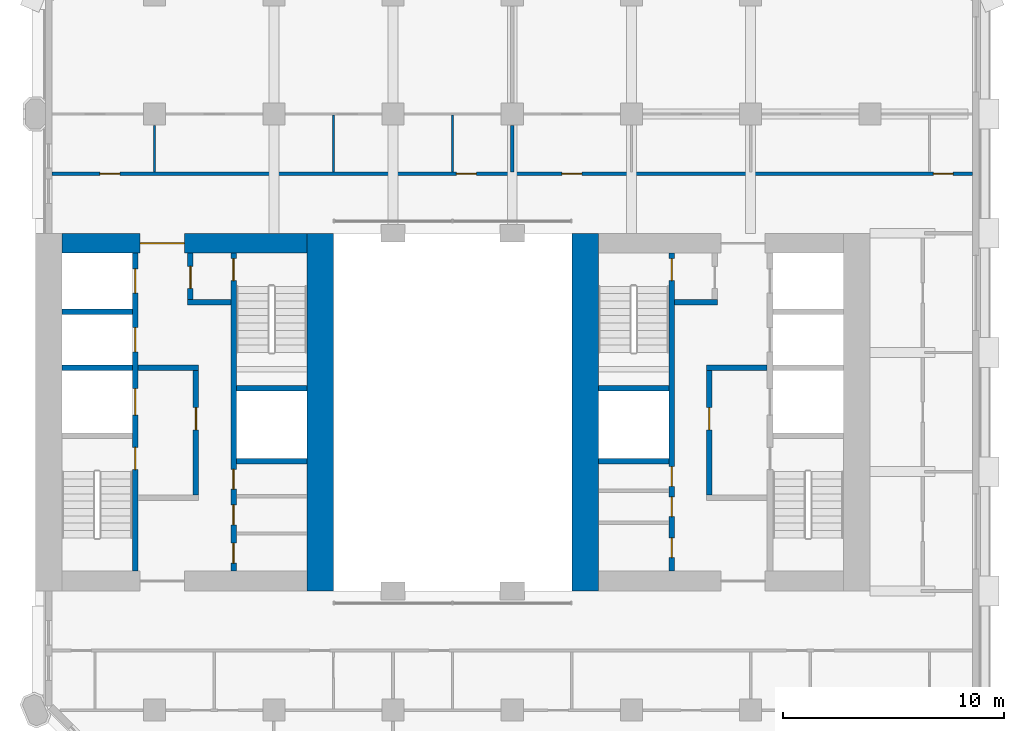
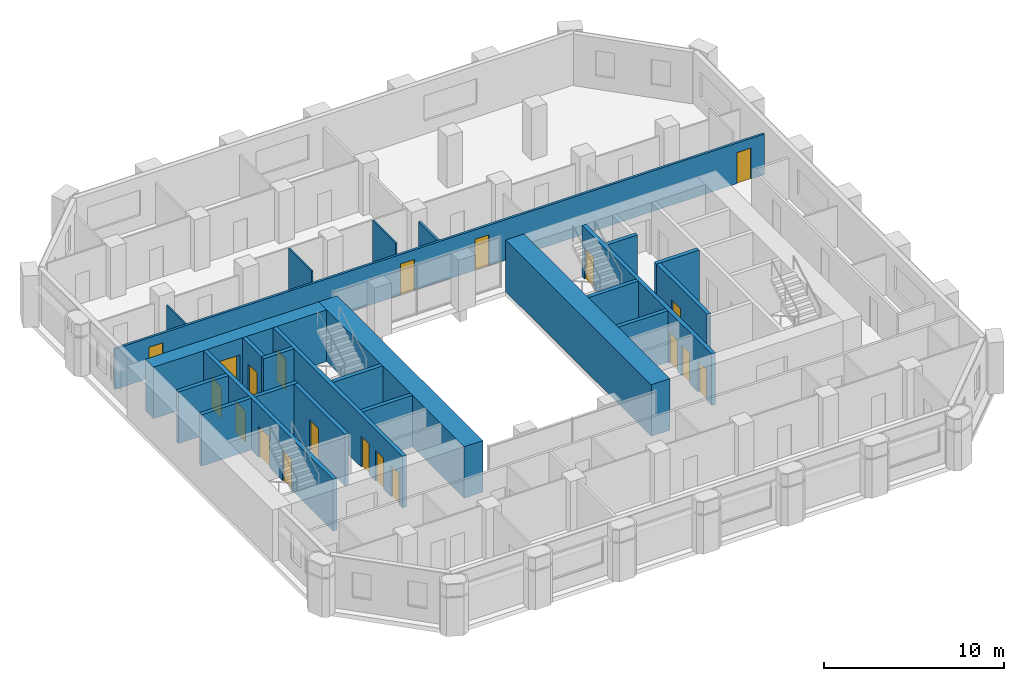
# One storey, part 5 of 11: 24 walls, 20 doors, 20 openings.
"""IFC4 building model written with IfcOpenShell, lengths in metres."""

from ifc_helpers import new_model, si_unit, direction, frame, frame_2d, origin, place, context, subcontext, project, spatial, rectangle, extrude, material, layer, layer_set, type_object, element, fill, save


model = new_model("IFC4")

# Units and contexts
model_context = context("Model", 3, precision=1e-05, world=origin(), true_north=direction((0.0, 1.0)))
body_context = subcontext(model_context, "Body", "Model", "MODEL_VIEW")
ifc_project = project(units=[si_unit("LENGTHUNIT", "METRE"), si_unit("AREAUNIT", "SQUARE_METRE"), si_unit("VOLUMEUNIT", "CUBIC_METRE"), si_unit("PLANEANGLEUNIT", "RADIAN"), si_unit("MASSUNIT", "GRAM", prefix="KILO")], contexts=[model_context])

# Site, building, storey
site_placement = place(None, origin())
site = spatial("IfcSite", under=ifc_project, at=site_placement, CompositionType="ELEMENT")
building_placement = place(site_placement, origin())
building = spatial("IfcBuilding", under=site, at=building_placement, Name="Tabaq Tower and Sports Hall", CompositionType="ELEMENT")
storey_placement = place(building_placement, frame((0.0, 0.0, 91.60009765625)))
storey = spatial("IfcBuildingStorey", under=building, at=storey_placement, Name="L21", CompositionType="ELEMENT", Elevation=91.60009765625)

# Walls
ifc_material_1 = material(Name="Concrete C60/75", Category="concrete")
ifc_layer_1 = layer(ifc_material_1, 1.199951171875)
ifc_layer_set_1 = layer_set([ifc_layer_1], Name="Core wall 1200 Concrete C60/75")
wall_type_1 = type_object("IfcWallType", Name="Core wall 1200 Concrete C60/75", PredefinedType="SOLIDWALL", material=ifc_layer_set_1)
for number, where, z_axis, x_axis, name in (
    (1, (18.300048828125, 32.39990234375, 0.0), (0.0, 0.0, 1.0), (0.0, -1.0, 0.0), "Core wall W L21"),
    (2, (30.300048828125, 16.199951171875, 0.0), (0.0, 0.0, 1.0), (0.0, 1.0, 0.0), "Core wall E L21"),
):
    element("IfcWall", number, at=place(storey_placement, frame(where, z_axis=z_axis, x_axis=x_axis)), inside=storey, type_object=wall_type_1, Name=name, PredefinedType="SOLIDWALL", context=body_context, shape_type="SweptSolid", body=[
        extrude(rectangle(XDim=16.199951171875, YDim=1.199951171875, at=frame_2d((8.10009765625, 0.0))), origin(), (0.0, 0.0, 1.0), 3.5),
    ])

# Wall, opening, door
ifc_material_2 = material(Name="Concrete C60/75", Category="concrete")
ifc_layer_2 = layer(ifc_material_2, 0.89990234375)
ifc_layer_set_2 = layer_set([ifc_layer_2], Name="Core wall 900 Concrete C60/75")
wall_type_2 = type_object("IfcWallType", Name="Core wall 900 Concrete C60/75", PredefinedType="SOLIDWALL", material=ifc_layer_set_2)
wall_1_placement = place(storey_placement, frame((6.60009765625, 31.949951171875, 0.0), z_axis=(0.0, 0.0, 1.0), x_axis=(1.0, 0.0, 0.0)))
wall_1 = element("IfcWall", 3, at=wall_1_placement, inside=storey, type_object=wall_type_2, Name="Core wall W L21", PredefinedType="SOLIDWALL", context=body_context, shape_type="SweptSolid", body=[
    extrude(rectangle(XDim=11.099853515625, YDim=0.89990234375, at=frame_2d((5.5498046875, 0.0))), origin(), (0.0, 0.0, 1.0), 3.5),
])
opening_1_placement = place(wall_1_placement, frame((3.550048828125, 0.0, 0.0)))
opening_1 = element("IfcOpeningElement", 4, at=opening_1_placement, cuts=wall_1, Name="Opening PD-WL21-02", PredefinedType="OPENING", context=body_context, shape_type="SweptSolid", body=[
    extrude(rectangle(XDim=2.0, YDim=2.39990234375, at=frame_2d((1.0, 1.199951171875))), frame((0.0, 0.449951171875, 0.0), z_axis=(0.0, -1.0, 0.0), x_axis=(1.0, 0.0, 0.0)), (0.0, 0.0, 1.0), 0.89990234375),
])
ifc_material_3 = material(Name="Steel fire door", Category="steel")
door_type_1 = type_object("IfcDoorType", Name="Core entrance door 2000", OperationType="DOUBLE_DOOR_SINGLE_SWING", PredefinedType="DOOR", material=ifc_material_3)
door_1_placement = place(opening_1_placement, origin())
door_1 = element("IfcDoor", 5, at=door_1_placement, inside=storey, type_object=door_type_1, Name="Core entrance north W L21", OperationType="DOUBLE_DOOR_SINGLE_SWING", OverallHeight=2.39990234375, OverallWidth=2.0, PredefinedType="DOOR", context=body_context, shape_type="SweptSolid", body=[
    extrude(rectangle(XDim=2.0, YDim=2.39990234375, at=frame_2d((1.0, 1.199951171875))), frame((0.0, 0.02490234375, 0.0), z_axis=(0.0, -1.0, 0.0), x_axis=(1.0, 0.0, 0.0)), (0.0, 0.0, 1.0), 0.050048828125),
])
fill(opening_1, door_1)

# Walls
ifc_material_4 = material(Name="Gypsum board on steel studs", Category="steel")
ifc_layer_3 = layer(ifc_material_4, 0.10009765625)
ifc_layer_set_3 = layer_set([ifc_layer_3], Name="Partition 100 Gypsum board")
wall_type_3 = type_object("IfcWallType", Name="Partition 100 Gypsum board", PredefinedType="PARTITIONING", material=ifc_layer_set_3)
wall_2_placement = place(storey_placement, frame((10.800048828125, 35.175048828125, 0.0), z_axis=(0.0, 0.0, 1.0), x_axis=(0.0, 1.0, 0.0)))
element("IfcWall", 6, at=wall_2_placement, inside=storey, type_object=wall_type_3, Name="Partition wall L21", PredefinedType="PARTITIONING", context=body_context, shape_type="SweptSolid", body=[
    extrude(rectangle(XDim=2.10498046875, YDim=0.10009765625, at=frame_2d((1.052490234375, 0.0))), origin(), (0.0, 0.0, 1.0), 2.75),
])
for number, where, z_axis, x_axis, name in (
    (7, (18.89990234375, 35.175048828125, 0.0), (0.0, 0.0, 1.0), (0.0, 1.0, 0.0), "Partition wall L21"),
    (8, (24.300048828125, 35.175048828125, 0.0), (0.0, 0.0, 1.0), (0.0, 1.0, 0.0), "Partition wall L21"),
):
    element("IfcWall", number, at=place(storey_placement, frame(where, z_axis=z_axis, x_axis=x_axis)), inside=storey, type_object=wall_type_3, Name=name, PredefinedType="PARTITIONING", context=body_context, shape_type="SweptSolid", body=[
        extrude(rectangle(XDim=2.574951171875, YDim=0.10009765625, at=frame_2d((1.28759765625, 0.0))), origin(), (0.0, 0.0, 1.0), 3.5),
    ])

# Wall, openings, doors
ifc_material_5 = material(Name="Blockwork", Category="masonry")
ifc_layer_4 = layer(ifc_material_5, 0.14990234375)
ifc_layer_set_4 = layer_set([ifc_layer_4], Name="Separating wall 150 Blockwork")
wall_type_4 = type_object("IfcWallType", Name="Separating wall 150 Blockwork", PredefinedType="PARTITIONING", material=ifc_layer_set_4)
wall_3_placement = place(storey_placement, frame((47.84912109375, 35.10009765625, 0.0), z_axis=(0.0, 0.0, 1.0), x_axis=(-1.0, 0.0, 0.0)))
wall_3 = element("IfcWall", 9, at=wall_3_placement, inside=storey, type_object=wall_type_4, Name="Separating wall L21", PredefinedType="PARTITIONING", context=body_context, shape_type="SweptSolid", body=[
    extrude(rectangle(XDim=41.6982421875, YDim=0.14990234375, at=frame_2d((20.84912109375, 0.0))), origin(), (0.0, 0.0, 1.0), 2.75),
])
opening_2_placement = place(wall_3_placement, frame((22.47900390625, 0.0, 0.0)))
opening_2 = element("IfcOpeningElement", 10, at=opening_2_placement, cuts=wall_3, Name="Opening L21-001", PredefinedType="OPENING", context=body_context, shape_type="SweptSolid", body=[
    extrude(rectangle(XDim=0.89990234375, YDim=2.10009765625, at=frame_2d((0.449951171875, 1.050048828125))), frame((0.0, 0.074951171875, 0.0), z_axis=(0.0, -1.0, 0.0), x_axis=(1.0, 0.0, 0.0)), (0.0, 0.0, 1.0), 0.14990234375),
])
opening_3_placement = place(wall_3_placement, frame((0.87890625, 0.0, 0.0)))
opening_3 = element("IfcOpeningElement", 11, at=opening_3_placement, cuts=wall_3, Name="Opening L21-002", PredefinedType="OPENING", context=body_context, shape_type="SweptSolid", body=[
    extrude(rectangle(XDim=0.89990234375, YDim=2.10009765625, at=frame_2d((0.449951171875, 1.050048828125))), frame((0.0, 0.074951171875, 0.0), z_axis=(0.0, -1.0, 0.0), x_axis=(1.0, 0.0, 0.0)), (0.0, 0.0, 1.0), 0.14990234375),
])
opening_4_placement = place(wall_3_placement, frame((38.6240234375, 0.0, 0.0)))
opening_4 = element("IfcOpeningElement", 12, at=opening_4_placement, cuts=wall_3, Name="Opening L21-024", PredefinedType="OPENING", context=body_context, shape_type="SweptSolid", body=[
    extrude(rectangle(XDim=0.89990234375, YDim=2.10009765625, at=frame_2d((0.449951171875, 1.050048828125))), frame((0.0, 0.074951171875, 0.0), z_axis=(0.0, -1.0, 0.0), x_axis=(1.0, 0.0, 0.0)), (0.0, 0.0, 1.0), 0.14990234375),
])
opening_5_placement = place(wall_3_placement, frame((17.698974609375, 0.0, 0.0)))
opening_5 = element("IfcOpeningElement", 13, at=opening_5_placement, cuts=wall_3, Name="Opening L21-025", PredefinedType="OPENING", context=body_context, shape_type="SweptSolid", body=[
    extrude(rectangle(XDim=0.89990234375, YDim=2.10009765625, at=frame_2d((0.449951171875, 1.050048828125))), frame((0.0, 0.074951171875, 0.0), z_axis=(0.0, -1.0, 0.0), x_axis=(1.0, 0.0, 0.0)), (0.0, 0.0, 1.0), 0.14990234375),
])
ifc_material_6 = material(Name="Steel fire door", Category="steel")
door_type_2 = type_object("IfcDoorType", Name="Entrance door 900 left hand", OperationType="SINGLE_SWING_LEFT", PredefinedType="DOOR", material=ifc_material_6)
door_2_placement = place(opening_2_placement, origin())
door_2 = element("IfcDoor", 14, at=door_2_placement, inside=storey, type_object=door_type_2, Name="Entrance door L21-001", OperationType="SINGLE_SWING_LEFT", OverallHeight=2.10009765625, OverallWidth=0.89990234375, PredefinedType="DOOR", context=body_context, shape_type="SweptSolid", body=[
    extrude(rectangle(XDim=0.89990234375, YDim=2.10009765625, at=frame_2d((0.449951171875, 1.050048828125))), frame((0.0, 0.02490234375, 0.0), z_axis=(0.0, -1.0, 0.0), x_axis=(1.0, 0.0, 0.0)), (0.0, 0.0, 1.0), 0.050048828125),
])
fill(opening_2, door_2)
door_3_placement = place(opening_3_placement, origin())
door_3 = element("IfcDoor", 15, at=door_3_placement, inside=storey, type_object=door_type_2, Name="Entrance door L21-002", OperationType="SINGLE_SWING_LEFT", OverallHeight=2.10009765625, OverallWidth=0.89990234375, PredefinedType="DOOR", context=body_context, shape_type="SweptSolid", body=[
    extrude(rectangle(XDim=0.89990234375, YDim=2.10009765625, at=frame_2d((0.449951171875, 1.050048828125))), frame((0.0, 0.02490234375, 0.0), z_axis=(0.0, -1.0, 0.0), x_axis=(1.0, 0.0, 0.0)), (0.0, 0.0, 1.0), 0.050048828125),
])
fill(opening_3, door_3)
door_4_placement = place(opening_4_placement, origin())
door_4 = element("IfcDoor", 16, at=door_4_placement, inside=storey, type_object=door_type_2, Name="Entrance door L21-024", OperationType="SINGLE_SWING_LEFT", OverallHeight=2.10009765625, OverallWidth=0.89990234375, PredefinedType="DOOR", context=body_context, shape_type="SweptSolid", body=[
    extrude(rectangle(XDim=0.89990234375, YDim=2.10009765625, at=frame_2d((0.449951171875, 1.050048828125))), frame((0.0, 0.02490234375, 0.0), z_axis=(0.0, -1.0, 0.0), x_axis=(1.0, 0.0, 0.0)), (0.0, 0.0, 1.0), 0.050048828125),
])
fill(opening_4, door_4)
door_5_placement = place(opening_5_placement, origin())
door_5 = element("IfcDoor", 17, at=door_5_placement, inside=storey, type_object=door_type_2, Name="Entrance door L21-025", OperationType="SINGLE_SWING_LEFT", OverallHeight=2.10009765625, OverallWidth=0.89990234375, PredefinedType="DOOR", context=body_context, shape_type="SweptSolid", body=[
    extrude(rectangle(XDim=0.89990234375, YDim=2.10009765625, at=frame_2d((0.449951171875, 1.050048828125))), frame((0.0, 0.02490234375, 0.0), z_axis=(0.0, -1.0, 0.0), x_axis=(1.0, 0.0, 0.0)), (0.0, 0.0, 1.0), 0.050048828125),
])
fill(opening_5, door_5)

# Wall
wall_4_placement = place(storey_placement, frame((27.0, 35.175048828125, 0.0), z_axis=(0.0, 0.0, 1.0), x_axis=(0.0, 1.0, 0.0)))
element("IfcWall", 18, at=wall_4_placement, inside=storey, type_object=wall_type_4, Name="Separating wall L21", PredefinedType="PARTITIONING", context=body_context, shape_type="SweptSolid", body=[
    extrude(rectangle(XDim=2.10498046875, YDim=0.14990234375, at=frame_2d((1.052490234375, 0.0))), origin(), (0.0, 0.0, 1.0), 2.75),
])

# Wall, openings, doors
ifc_material_7 = material(Name="Concrete C40/50", Category="concrete")
ifc_layer_5 = layer(ifc_material_7, 0.25)
ifc_layer_set_5 = layer_set([ifc_layer_5], Name="Shaft and stair wall 250 Concrete C40/50")
wall_type_5 = type_object("IfcWallType", Name="Shaft and stair wall 250 Concrete C40/50", PredefinedType="SOLIDWALL", material=ifc_layer_set_5)
wall_5_placement = place(storey_placement, frame((9.925048828125, 17.10009765625, 0.0), z_axis=(0.0, 0.0, 1.0), x_axis=(0.0, 1.0, 0.0)))
wall_5 = element("IfcWall", 19, at=wall_5_placement, inside=storey, type_object=wall_type_5, Name="Shaft wall W L21", PredefinedType="SOLIDWALL", context=body_context, shape_type="SweptSolid", body=[
    extrude(rectangle(XDim=14.39990234375, YDim=0.25, at=frame_2d((7.199951171875, 0.0))), origin(), (0.0, 0.0, 1.0), 3.5),
])
opening_6_placement = place(wall_5_placement, frame((4.60009765625, 0.0, 0.0)))
opening_6 = element("IfcOpeningElement", 20, at=opening_6_placement, cuts=wall_5, Name="Opening SD-WL21-03", PredefinedType="OPENING", context=body_context, shape_type="SweptSolid", body=[
    extrude(rectangle(XDim=1.0, YDim=2.10009765625, at=frame_2d((0.5, 1.050048828125))), frame((0.0, 0.125, 0.0), z_axis=(0.0, -1.0, 0.0), x_axis=(1.0, 0.0, 0.0)), (0.0, 0.0, 1.0), 0.25),
])
opening_7_placement = place(wall_5_placement, frame((7.0625, 0.0, 0.0)))
opening_7 = element("IfcOpeningElement", 21, at=opening_7_placement, cuts=wall_5, Name="Opening LD-FF1-L21", PredefinedType="OPENING", context=body_context, shape_type="SweptSolid", body=[
    extrude(rectangle(XDim=1.199951171875, YDim=2.10009765625, at=frame_2d((0.60009765625, 1.050048828125))), frame((0.0, 0.125, 0.0), z_axis=(0.0, -1.0, 0.0), x_axis=(1.0, 0.0, 0.0)), (0.0, 0.0, 1.0), 0.25),
])
opening_8_placement = place(wall_5_placement, frame((9.925048828125, 0.0, 0.0)))
opening_8 = element("IfcOpeningElement", 22, at=opening_8_placement, cuts=wall_5, Name="Opening LD-LR1-L21", PredefinedType="OPENING", context=body_context, shape_type="SweptSolid", body=[
    extrude(rectangle(XDim=1.10009765625, YDim=2.10009765625, at=frame_2d((0.550048828125, 1.050048828125))), frame((0.0, 0.125, 0.0), z_axis=(0.0, -1.0, 0.0), x_axis=(1.0, 0.0, 0.0)), (0.0, 0.0, 1.0), 0.25),
])
opening_9_placement = place(wall_5_placement, frame((12.58740234375, 0.0, 0.0)))
opening_9 = element("IfcOpeningElement", 23, at=opening_9_placement, cuts=wall_5, Name="Opening LD-LR2-L21", PredefinedType="OPENING", context=body_context, shape_type="SweptSolid", body=[
    extrude(rectangle(XDim=1.10009765625, YDim=2.10009765625, at=frame_2d((0.550048828125, 1.050048828125))), frame((0.0, 0.125, 0.0), z_axis=(0.0, -1.0, 0.0), x_axis=(1.0, 0.0, 0.0)), (0.0, 0.0, 1.0), 0.25),
])
ifc_material_8 = material(Name="Stainless steel", Category="steel")
door_type_3 = type_object("IfcDoorType", Name="Lift landing door 1100", OperationType="DOUBLE_DOOR_SLIDING", PredefinedType="DOOR", material=ifc_material_8)
door_6_placement = place(opening_8_placement, origin())
door_6 = element("IfcDoor", 24, at=door_6_placement, inside=storey, type_object=door_type_3, Name="Lift landing door LR1 W L21", OperationType="DOUBLE_DOOR_SLIDING", OverallHeight=2.10009765625, OverallWidth=1.10009765625, PredefinedType="DOOR", context=body_context, shape_type="SweptSolid", body=[
    extrude(rectangle(XDim=1.10009765625, YDim=2.10009765625, at=frame_2d((0.550048828125, 1.050048828125))), frame((0.0, 0.02490234375, 0.0), z_axis=(0.0, -1.0, 0.0), x_axis=(1.0, 0.0, 0.0)), (0.0, 0.0, 1.0), 0.050048828125),
])
fill(opening_8, door_6)
door_7_placement = place(opening_9_placement, origin())
door_7 = element("IfcDoor", 25, at=door_7_placement, inside=storey, type_object=door_type_3, Name="Lift landing door LR2 W L21", OperationType="DOUBLE_DOOR_SLIDING", OverallHeight=2.10009765625, OverallWidth=1.10009765625, PredefinedType="DOOR", context=body_context, shape_type="SweptSolid", body=[
    extrude(rectangle(XDim=1.10009765625, YDim=2.10009765625, at=frame_2d((0.550048828125, 1.050048828125))), frame((0.0, 0.02490234375, 0.0), z_axis=(0.0, -1.0, 0.0), x_axis=(1.0, 0.0, 0.0)), (0.0, 0.0, 1.0), 0.050048828125),
])
fill(opening_9, door_7)
ifc_material_9 = material(Name="Stainless steel", Category="steel")
door_type_4 = type_object("IfcDoorType", Name="Lift landing door 1200", OperationType="DOUBLE_DOOR_SLIDING", PredefinedType="DOOR", material=ifc_material_9)
door_8_placement = place(opening_7_placement, origin())
door_8 = element("IfcDoor", 26, at=door_8_placement, inside=storey, type_object=door_type_4, Name="Lift landing door FF1 W L21", OperationType="DOUBLE_DOOR_SLIDING", OverallHeight=2.10009765625, OverallWidth=1.199951171875, PredefinedType="DOOR", context=body_context, shape_type="SweptSolid", body=[
    extrude(rectangle(XDim=1.199951171875, YDim=2.10009765625, at=frame_2d((0.60009765625, 1.050048828125))), frame((0.0, 0.02490234375, 0.0), z_axis=(0.0, -1.0, 0.0), x_axis=(1.0, 0.0, 0.0)), (0.0, 0.0, 1.0), 0.050048828125),
])
fill(opening_7, door_8)
ifc_material_10 = material(Name="Steel fire door", Category="steel")
door_type_5 = type_object("IfcDoorType", Name="Stair door 1000", OperationType="SINGLE_SWING_LEFT", PredefinedType="DOOR", material=ifc_material_10)
door_9_placement = place(opening_6_placement, origin())
door_9 = element("IfcDoor", 27, at=door_9_placement, inside=storey, type_object=door_type_5, Name="Stair door ST1 W L21", OperationType="SINGLE_SWING_LEFT", OverallHeight=2.10009765625, OverallWidth=1.0, PredefinedType="DOOR", context=body_context, shape_type="SweptSolid", body=[
    extrude(rectangle(XDim=1.0, YDim=2.10009765625, at=frame_2d((0.5, 1.050048828125))), frame((0.0, 0.02490234375, 0.0), z_axis=(0.0, -1.0, 0.0), x_axis=(1.0, 0.0, 0.0)), (0.0, 0.0, 1.0), 0.050048828125),
])
fill(opening_6, door_9)

wall_6_placement = place(storey_placement, frame((14.375, 17.10009765625, 0.0), z_axis=(0.0, 0.0, 1.0), x_axis=(0.0, 1.0, 0.0)))
wall_6 = element("IfcWall", 28, at=wall_6_placement, inside=storey, type_object=wall_type_5, Name="Shaft wall W L21", PredefinedType="SOLIDWALL", context=body_context, shape_type="SweptSolid", body=[
    extrude(rectangle(XDim=14.39990234375, YDim=0.25, at=frame_2d((7.199951171875, 0.0))), origin(), (0.0, 0.0, 1.0), 3.5),
])
opening_10_placement = place(wall_6_placement, frame((13.14990234375, 0.0, 0.0)))
opening_10 = element("IfcOpeningElement", 29, at=opening_10_placement, cuts=wall_6, Name="Opening SD-WL21-05", PredefinedType="OPENING", context=body_context, shape_type="SweptSolid", body=[
    extrude(rectangle(XDim=1.0, YDim=2.10009765625, at=frame_2d((0.5, 1.050048828125))), frame((0.0, 0.125, 0.0), z_axis=(0.0, -1.0, 0.0), x_axis=(1.0, 0.0, 0.0)), (0.0, 0.0, 1.0), 0.25),
])
opening_11_placement = place(wall_6_placement, frame((0.361083984375, 0.0, 0.0)))
opening_11 = element("IfcOpeningElement", 30, at=opening_11_placement, cuts=wall_6, Name="Opening RD-WL21-10", PredefinedType="OPENING", context=body_context, shape_type="SweptSolid", body=[
    extrude(rectangle(XDim=0.89990234375, YDim=2.10009765625, at=frame_2d((0.449951171875, 1.050048828125))), frame((0.0, 0.125, 0.0), z_axis=(0.0, -1.0, 0.0), x_axis=(1.0, 0.0, 0.0)), (0.0, 0.0, 1.0), 0.25),
])
opening_12_placement = place(wall_6_placement, frame((2.095458984375, 0.0, 0.0)))
opening_12 = element("IfcOpeningElement", 31, at=opening_12_placement, cuts=wall_6, Name="Opening RD-WL21-11", PredefinedType="OPENING", context=body_context, shape_type="SweptSolid", body=[
    extrude(rectangle(XDim=0.89990234375, YDim=2.10009765625, at=frame_2d((0.449951171875, 1.050048828125))), frame((0.0, 0.125, 0.0), z_axis=(0.0, -1.0, 0.0), x_axis=(1.0, 0.0, 0.0)), (0.0, 0.0, 1.0), 0.25),
])
opening_13_placement = place(wall_6_placement, frame((3.70947265625, 0.0, 0.0)))
opening_13 = element("IfcOpeningElement", 32, at=opening_13_placement, cuts=wall_6, Name="Opening RD-WL21-12", PredefinedType="OPENING", context=body_context, shape_type="SweptSolid", body=[
    extrude(rectangle(XDim=0.89990234375, YDim=2.10009765625, at=frame_2d((0.449951171875, 1.050048828125))), frame((0.0, 0.125, 0.0), z_axis=(0.0, -1.0, 0.0), x_axis=(1.0, 0.0, 0.0)), (0.0, 0.0, 1.0), 0.25),
])
ifc_material_11 = material(Name="Steel fire door", Category="steel")
door_type_6 = type_object("IfcDoorType", Name="Core room door 900", OperationType="SINGLE_SWING_LEFT", PredefinedType="DOOR", material=ifc_material_11)
door_10_placement = place(opening_11_placement, origin())
door_10 = element("IfcDoor", 33, at=door_10_placement, inside=storey, type_object=door_type_6, Name="Door Accessible WC W L21", OperationType="SINGLE_SWING_LEFT", OverallHeight=2.10009765625, OverallWidth=0.89990234375, PredefinedType="DOOR", context=body_context, shape_type="SweptSolid", body=[
    extrude(rectangle(XDim=0.89990234375, YDim=2.10009765625, at=frame_2d((0.449951171875, 1.050048828125))), frame((0.0, 0.02490234375, 0.0), z_axis=(0.0, -1.0, 0.0), x_axis=(1.0, 0.0, 0.0)), (0.0, 0.0, 1.0), 0.050048828125),
])
fill(opening_11, door_10)
door_11_placement = place(opening_12_placement, origin())
door_11 = element("IfcDoor", 34, at=door_11_placement, inside=storey, type_object=door_type_6, Name="Door Unisex WC W L21", OperationType="SINGLE_SWING_LEFT", OverallHeight=2.10009765625, OverallWidth=0.89990234375, PredefinedType="DOOR", context=body_context, shape_type="SweptSolid", body=[
    extrude(rectangle(XDim=0.89990234375, YDim=2.10009765625, at=frame_2d((0.449951171875, 1.050048828125))), frame((0.0, 0.02490234375, 0.0), z_axis=(0.0, -1.0, 0.0), x_axis=(1.0, 0.0, 0.0)), (0.0, 0.0, 1.0), 0.050048828125),
])
fill(opening_12, door_11)
door_12_placement = place(opening_13_placement, origin())
door_12 = element("IfcDoor", 35, at=door_12_placement, inside=storey, type_object=door_type_6, Name="Door Cleaner's Store W L21", OperationType="SINGLE_SWING_LEFT", OverallHeight=2.10009765625, OverallWidth=0.89990234375, PredefinedType="DOOR", context=body_context, shape_type="SweptSolid", body=[
    extrude(rectangle(XDim=0.89990234375, YDim=2.10009765625, at=frame_2d((0.449951171875, 1.050048828125))), frame((0.0, 0.02490234375, 0.0), z_axis=(0.0, -1.0, 0.0), x_axis=(1.0, 0.0, 0.0)), (0.0, 0.0, 1.0), 0.050048828125),
])
fill(opening_13, door_12)
door_13_placement = place(opening_10_placement, origin())
door_13 = element("IfcDoor", 36, at=door_13_placement, inside=storey, type_object=door_type_5, Name="Stair door ST2 W L21", OperationType="SINGLE_SWING_LEFT", OverallHeight=2.10009765625, OverallWidth=1.0, PredefinedType="DOOR", context=body_context, shape_type="SweptSolid", body=[
    extrude(rectangle(XDim=1.0, YDim=2.10009765625, at=frame_2d((0.5, 1.050048828125))), frame((0.0, 0.02490234375, 0.0), z_axis=(0.0, -1.0, 0.0), x_axis=(1.0, 0.0, 0.0)), (0.0, 0.0, 1.0), 0.050048828125),
])
fill(opening_10, door_13)

# Walls
for number, where, z_axis, x_axis, name in (
    (37, (14.5, 25.375, 0.0), (0.0, 0.0, 1.0), (1.0, 0.0, 0.0), "Stair enclosure wall W L21"),
    (38, (14.5, 22.074951171875, 0.0), (0.0, 0.0, 1.0), (1.0, 0.0, 0.0), "Shaft wall W L21"),
    (39, (6.60009765625, 26.300048828125, 0.0), (0.0, 0.0, 1.0), (1.0, 0.0, 0.0), "Shaft wall W L21"),
):
    element("IfcWall", number, at=place(storey_placement, frame(where, z_axis=z_axis, x_axis=x_axis)), inside=storey, type_object=wall_type_5, Name=name, PredefinedType="SOLIDWALL", context=body_context, shape_type="SweptSolid", body=[
        extrude(rectangle(XDim=3.199951171875, YDim=0.25, at=frame_2d((1.60009765625, 0.0))), origin(), (0.0, 0.0, 1.0), 3.5),
    ])
wall_7_placement = place(storey_placement, frame((10.050048828125, 26.300048828125, 0.0), z_axis=(0.0, 0.0, 1.0), x_axis=(1.0, 0.0, 0.0)))
element("IfcWall", 40, at=wall_7_placement, inside=storey, type_object=wall_type_5, Name="Fire-fighting lobby wall W L21", PredefinedType="SOLIDWALL", context=body_context, shape_type="SweptSolid", body=[
    extrude(rectangle(XDim=2.75, YDim=0.25, at=frame_2d((1.375, 0.0))), origin(), (0.0, 0.0, 1.0), 3.5),
])

# Wall, opening, door
wall_8_placement = place(storey_placement, frame((12.425048828125, 29.39990234375, 0.0), z_axis=(0.0, 0.0, 1.0), x_axis=(0.0, 1.0, 0.0)))
wall_8 = element("IfcWall", 41, at=wall_8_placement, inside=storey, type_object=wall_type_5, Name="Fire-fighting lobby wall W L21", PredefinedType="SOLIDWALL", context=body_context, shape_type="SweptSolid", body=[
    extrude(rectangle(XDim=2.10009765625, YDim=0.25, at=frame_2d((1.050048828125, 0.0))), origin(), (0.0, 0.0, 1.0), 3.5),
])
opening_14_placement = place(wall_8_placement, frame((0.5, 0.0, 0.0)))
opening_14 = element("IfcOpeningElement", 42, at=opening_14_placement, cuts=wall_8, Name="Opening FD-WL21-06", PredefinedType="OPENING", context=body_context, shape_type="SweptSolid", body=[
    extrude(rectangle(XDim=1.0, YDim=2.10009765625, at=frame_2d((0.5, 1.050048828125))), frame((0.0, 0.125, 0.0), z_axis=(0.0, -1.0, 0.0), x_axis=(1.0, 0.0, 0.0)), (0.0, 0.0, 1.0), 0.25),
])
ifc_material_12 = material(Name="Steel fire door", Category="steel")
door_type_7 = type_object("IfcDoorType", Name="Fire-fighting lobby door 1000", OperationType="SINGLE_SWING_LEFT", PredefinedType="DOOR", material=ifc_material_12)
door_14_placement = place(opening_14_placement, origin())
door_14 = element("IfcDoor", 43, at=door_14_placement, inside=storey, type_object=door_type_7, Name="Stair lobby door W L21", OperationType="SINGLE_SWING_LEFT", OverallHeight=2.10009765625, OverallWidth=1.0, PredefinedType="DOOR", context=body_context, shape_type="SweptSolid", body=[
    extrude(rectangle(XDim=1.0, YDim=2.10009765625, at=frame_2d((0.5, 1.050048828125))), frame((0.0, 0.02490234375, 0.0), z_axis=(0.0, -1.0, 0.0), x_axis=(1.0, 0.0, 0.0)), (0.0, 0.0, 1.0), 0.050048828125),
])
fill(opening_14, door_14)

# Wall
wall_9_placement = place(storey_placement, frame((12.300048828125, 29.27490234375, 0.0), z_axis=(0.0, 0.0, 1.0), x_axis=(1.0, 0.0, 0.0)))
element("IfcWall", 44, at=wall_9_placement, inside=storey, type_object=wall_type_5, Name="Fire-fighting lobby wall W L21", PredefinedType="SOLIDWALL", context=body_context, shape_type="SweptSolid", body=[
    extrude(rectangle(XDim=1.949951171875, YDim=0.25, at=frame_2d((0.97509765625, 0.0))), origin(), (0.0, 0.0, 1.0), 3.5),
])

# Wall, opening, door
wall_10_placement = place(storey_placement, frame((12.675048828125, 20.550048828125, 0.0), z_axis=(0.0, 0.0, 1.0), x_axis=(0.0, 1.0, 0.0)))
wall_10 = element("IfcWall", 45, at=wall_10_placement, inside=storey, type_object=wall_type_5, Name="Fire-fighting lobby wall W L21", PredefinedType="SOLIDWALL", context=body_context, shape_type="SweptSolid", body=[
    extrude(rectangle(XDim=5.625, YDim=0.25, at=frame_2d((2.8125, 0.0))), origin(), (0.0, 0.0, 1.0), 3.5),
])
opening_15_placement = place(wall_10_placement, frame((2.949951171875, 0.0, 0.0)))
opening_15 = element("IfcOpeningElement", 46, at=opening_15_placement, cuts=wall_10, Name="Opening FD-WL21-04", PredefinedType="OPENING", context=body_context, shape_type="SweptSolid", body=[
    extrude(rectangle(XDim=1.0, YDim=2.10009765625, at=frame_2d((0.5, 1.050048828125))), frame((0.0, 0.125, 0.0), z_axis=(0.0, -1.0, 0.0), x_axis=(1.0, 0.0, 0.0)), (0.0, 0.0, 1.0), 0.25),
])
door_15_placement = place(opening_15_placement, origin())
door_15 = element("IfcDoor", 47, at=door_15_placement, inside=storey, type_object=door_type_7, Name="Fire-fighting lobby door W L21", OperationType="SINGLE_SWING_LEFT", OverallHeight=2.10009765625, OverallWidth=1.0, PredefinedType="DOOR", context=body_context, shape_type="SweptSolid", body=[
    extrude(rectangle(XDim=1.0, YDim=2.10009765625, at=frame_2d((0.5, 1.050048828125))), frame((0.0, 0.02490234375, 0.0), z_axis=(0.0, -1.0, 0.0), x_axis=(1.0, 0.0, 0.0)), (0.0, 0.0, 1.0), 0.050048828125),
])
fill(opening_15, door_15)

# Wall
wall_11_placement = place(storey_placement, frame((6.60009765625, 28.85009765625, 0.0), z_axis=(0.0, 0.0, 1.0), x_axis=(1.0, 0.0, 0.0)))
element("IfcWall", 48, at=wall_11_placement, inside=storey, type_object=wall_type_5, Name="Shaft wall W L21", PredefinedType="SOLIDWALL", context=body_context, shape_type="SweptSolid", body=[
    extrude(rectangle(XDim=3.199951171875, YDim=0.25, at=frame_2d((1.60009765625, 0.0))), origin(), (0.0, 0.0, 1.0), 3.5),
])

# Wall, openings, doors
wall_12_placement = place(storey_placement, frame((34.22509765625, 17.10009765625, 0.0), z_axis=(0.0, 0.0, 1.0), x_axis=(0.0, 1.0, 0.0)))
wall_12 = element("IfcWall", 49, at=wall_12_placement, inside=storey, type_object=wall_type_5, Name="Shaft wall E L21", PredefinedType="SOLIDWALL", context=body_context, shape_type="SweptSolid", body=[
    extrude(rectangle(XDim=14.39990234375, YDim=0.25, at=frame_2d((7.199951171875, 0.0))), origin(), (0.0, 0.0, 1.0), 3.5),
])
opening_16_placement = place(wall_12_placement, frame((13.14990234375, 0.0, 0.0)))
opening_16 = element("IfcOpeningElement", 50, at=opening_16_placement, cuts=wall_12, Name="Opening SD-EL21-05", PredefinedType="OPENING", context=body_context, shape_type="SweptSolid", body=[
    extrude(rectangle(XDim=1.0, YDim=2.10009765625, at=frame_2d((0.5, 1.050048828125))), frame((0.0, 0.125, 0.0), z_axis=(0.0, -1.0, 0.0), x_axis=(1.0, 0.0, 0.0)), (0.0, 0.0, 1.0), 0.25),
])
opening_17_placement = place(wall_12_placement, frame((0.60400390625, 0.0, 0.0)))
opening_17 = element("IfcOpeningElement", 51, at=opening_17_placement, cuts=wall_12, Name="Opening RD-EL21-10", PredefinedType="OPENING", context=body_context, shape_type="SweptSolid", body=[
    extrude(rectangle(XDim=0.89990234375, YDim=2.10009765625, at=frame_2d((0.449951171875, 1.050048828125))), frame((0.0, 0.125, 0.0), z_axis=(0.0, -1.0, 0.0), x_axis=(1.0, 0.0, 0.0)), (0.0, 0.0, 1.0), 0.25),
])
opening_18_placement = place(wall_12_placement, frame((2.46044921875, 0.0, 0.0)))
opening_18 = element("IfcOpeningElement", 52, at=opening_18_placement, cuts=wall_12, Name="Opening RD-EL21-11", PredefinedType="OPENING", context=body_context, shape_type="SweptSolid", body=[
    extrude(rectangle(XDim=0.89990234375, YDim=2.10009765625, at=frame_2d((0.449951171875, 1.050048828125))), frame((0.0, 0.125, 0.0), z_axis=(0.0, -1.0, 0.0), x_axis=(1.0, 0.0, 0.0)), (0.0, 0.0, 1.0), 0.25),
])
opening_19_placement = place(wall_12_placement, frame((3.83154296875, 0.0, 0.0)))
opening_19 = element("IfcOpeningElement", 53, at=opening_19_placement, cuts=wall_12, Name="Opening RD-EL21-12", PredefinedType="OPENING", context=body_context, shape_type="SweptSolid", body=[
    extrude(rectangle(XDim=0.89990234375, YDim=2.10009765625, at=frame_2d((0.449951171875, 1.050048828125))), frame((0.0, 0.125, 0.0), z_axis=(0.0, -1.0, 0.0), x_axis=(1.0, 0.0, 0.0)), (0.0, 0.0, 1.0), 0.25),
])
door_16_placement = place(opening_17_placement, origin())
door_16 = element("IfcDoor", 54, at=door_16_placement, inside=storey, type_object=door_type_6, Name="Door Unisex WC E L21", OperationType="SINGLE_SWING_LEFT", OverallHeight=2.10009765625, OverallWidth=0.89990234375, PredefinedType="DOOR", context=body_context, shape_type="SweptSolid", body=[
    extrude(rectangle(XDim=0.89990234375, YDim=2.10009765625, at=frame_2d((0.449951171875, 1.050048828125))), frame((0.0, 0.02490234375, 0.0), z_axis=(0.0, -1.0, 0.0), x_axis=(1.0, 0.0, 0.0)), (0.0, 0.0, 1.0), 0.050048828125),
])
fill(opening_17, door_16)
door_17_placement = place(opening_18_placement, origin())
door_17 = element("IfcDoor", 55, at=door_17_placement, inside=storey, type_object=door_type_6, Name="Door Accessible WC E L21", OperationType="SINGLE_SWING_LEFT", OverallHeight=2.10009765625, OverallWidth=0.89990234375, PredefinedType="DOOR", context=body_context, shape_type="SweptSolid", body=[
    extrude(rectangle(XDim=0.89990234375, YDim=2.10009765625, at=frame_2d((0.449951171875, 1.050048828125))), frame((0.0, 0.02490234375, 0.0), z_axis=(0.0, -1.0, 0.0), x_axis=(1.0, 0.0, 0.0)), (0.0, 0.0, 1.0), 0.050048828125),
])
fill(opening_18, door_17)
door_18_placement = place(opening_19_placement, origin())
door_18 = element("IfcDoor", 56, at=door_18_placement, inside=storey, type_object=door_type_6, Name="Door Electrical Riser Room E L21", OperationType="SINGLE_SWING_LEFT", OverallHeight=2.10009765625, OverallWidth=0.89990234375, PredefinedType="DOOR", context=body_context, shape_type="SweptSolid", body=[
    extrude(rectangle(XDim=0.89990234375, YDim=2.10009765625, at=frame_2d((0.449951171875, 1.050048828125))), frame((0.0, 0.02490234375, 0.0), z_axis=(0.0, -1.0, 0.0), x_axis=(1.0, 0.0, 0.0)), (0.0, 0.0, 1.0), 0.050048828125),
])
fill(opening_19, door_18)
door_19_placement = place(opening_16_placement, origin())
door_19 = element("IfcDoor", 57, at=door_19_placement, inside=storey, type_object=door_type_5, Name="Stair door ST4 E L21", OperationType="SINGLE_SWING_LEFT", OverallHeight=2.10009765625, OverallWidth=1.0, PredefinedType="DOOR", context=body_context, shape_type="SweptSolid", body=[
    extrude(rectangle(XDim=1.0, YDim=2.10009765625, at=frame_2d((0.5, 1.050048828125))), frame((0.0, 0.02490234375, 0.0), z_axis=(0.0, -1.0, 0.0), x_axis=(1.0, 0.0, 0.0)), (0.0, 0.0, 1.0), 0.050048828125),
])
fill(opening_16, door_19)

# Walls
for number, where, z_axis, x_axis, name in (
    (58, (30.89990234375, 25.375, 0.0), (0.0, 0.0, 1.0), (1.0, 0.0, 0.0), "Stair enclosure wall E L21"),
    (59, (30.89990234375, 22.074951171875, 0.0), (0.0, 0.0, 1.0), (1.0, 0.0, 0.0), "Shaft wall E L21"),
):
    element("IfcWall", number, at=place(storey_placement, frame(where, z_axis=z_axis, x_axis=x_axis)), inside=storey, type_object=wall_type_5, Name=name, PredefinedType="SOLIDWALL", context=body_context, shape_type="SweptSolid", body=[
        extrude(rectangle(XDim=3.2001953125, YDim=0.25, at=frame_2d((1.60009765625, 0.0))), origin(), (0.0, 0.0, 1.0), 3.5),
    ])
wall_13_placement = place(storey_placement, frame((35.800048828125, 26.300048828125, 0.0), z_axis=(0.0, 0.0, 1.0), x_axis=(1.0, 0.0, 0.0)))
element("IfcWall", 60, at=wall_13_placement, inside=storey, type_object=wall_type_5, Name="Fire-fighting lobby wall E L21", PredefinedType="SOLIDWALL", context=body_context, shape_type="SweptSolid", body=[
    extrude(rectangle(XDim=2.75, YDim=0.25, at=frame_2d((1.375, 0.0))), origin(), (0.0, 0.0, 1.0), 3.5),
])
wall_14_placement = place(storey_placement, frame((34.35009765625, 29.27490234375, 0.0), z_axis=(0.0, 0.0, 1.0), x_axis=(1.0, 0.0, 0.0)))
element("IfcWall", 61, at=wall_14_placement, inside=storey, type_object=wall_type_5, Name="Fire-fighting lobby wall E L21", PredefinedType="SOLIDWALL", context=body_context, shape_type="SweptSolid", body=[
    extrude(rectangle(XDim=1.949951171875, YDim=0.25, at=frame_2d((0.97509765625, 0.0))), origin(), (0.0, 0.0, 1.0), 3.5),
])

# Wall, opening, door
wall_15_placement = place(storey_placement, frame((35.925048828125, 20.550048828125, 0.0), z_axis=(0.0, 0.0, 1.0), x_axis=(0.0, 1.0, 0.0)))
wall_15 = element("IfcWall", 62, at=wall_15_placement, inside=storey, type_object=wall_type_5, Name="Fire-fighting lobby wall E L21", PredefinedType="SOLIDWALL", context=body_context, shape_type="SweptSolid", body=[
    extrude(rectangle(XDim=5.625, YDim=0.25, at=frame_2d((2.8125, 0.0))), origin(), (0.0, 0.0, 1.0), 3.5),
])
opening_20_placement = place(wall_15_placement, frame((2.949951171875, 0.0, 0.0)))
opening_20 = element("IfcOpeningElement", 63, at=opening_20_placement, cuts=wall_15, Name="Opening FD-EL21-04", PredefinedType="OPENING", context=body_context, shape_type="SweptSolid", body=[
    extrude(rectangle(XDim=1.0, YDim=2.10009765625, at=frame_2d((0.5, 1.050048828125))), frame((0.0, 0.125, 0.0), z_axis=(0.0, -1.0, 0.0), x_axis=(1.0, 0.0, 0.0)), (0.0, 0.0, 1.0), 0.25),
])
door_20_placement = place(opening_20_placement, origin())
door_20 = element("IfcDoor", 64, at=door_20_placement, inside=storey, type_object=door_type_7, Name="Fire-fighting lobby door E L21", OperationType="SINGLE_SWING_LEFT", OverallHeight=2.10009765625, OverallWidth=1.0, PredefinedType="DOOR", context=body_context, shape_type="SweptSolid", body=[
    extrude(rectangle(XDim=1.0, YDim=2.10009765625, at=frame_2d((0.5, 1.050048828125))), frame((0.0, 0.02490234375, 0.0), z_axis=(0.0, -1.0, 0.0), x_axis=(1.0, 0.0, 0.0)), (0.0, 0.0, 1.0), 0.050048828125),
])
fill(opening_20, door_20)

save(model, "model.ifc")
